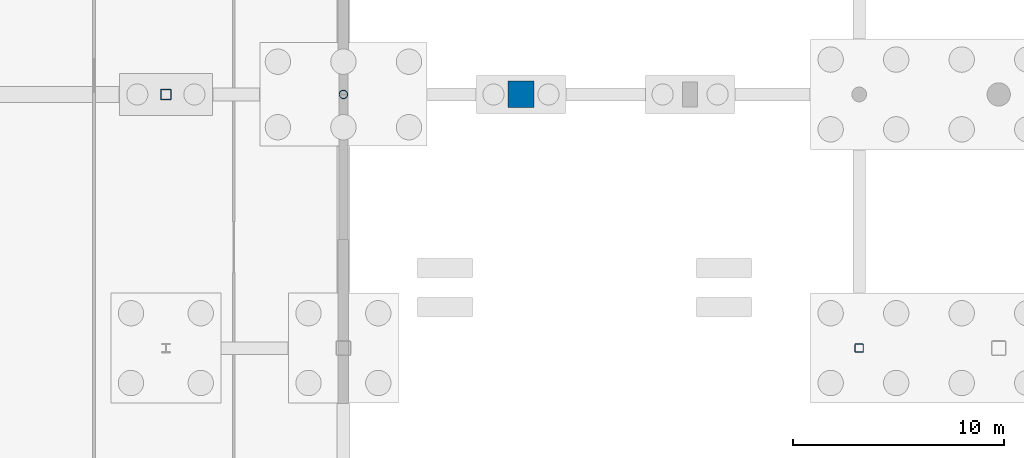
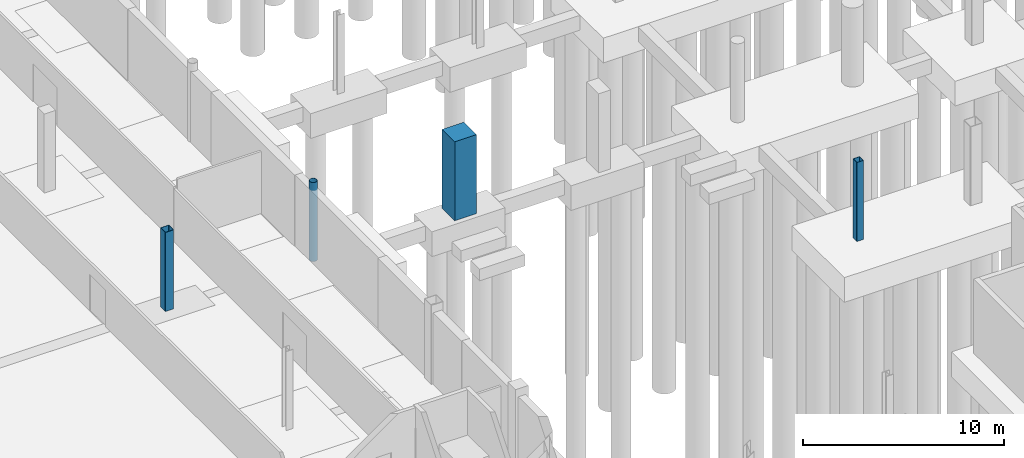
# One storey, part 11 of 34: 4 columns.
"""IFC4 building model written with IfcOpenShell, lengths in metres."""

from ifc_helpers import new_model, si_unit, direction, frame, origin, origin_2d, place, context, subcontext, project, spatial, rectangle, hollow_rectangle, hollow_circle, extrude, material, material_profile, profile_set, type_object, element, save


model = new_model("IFC4")

# Units and contexts
model_context = context("Model", 3, precision=1e-05, world=origin(), true_north=direction((0.0, 1.0)))
body_context = subcontext(model_context, "Body", "Model", "MODEL_VIEW")
ifc_project = project(units=[si_unit("LENGTHUNIT", "METRE"), si_unit("AREAUNIT", "SQUARE_METRE"), si_unit("VOLUMEUNIT", "CUBIC_METRE"), si_unit("PLANEANGLEUNIT", "RADIAN"), si_unit("MASSUNIT", "GRAM", prefix="KILO")], contexts=[model_context])

# Site, building, storey
site_placement = place(None, origin())
site = spatial("IfcSite", under=ifc_project, at=site_placement, CompositionType="ELEMENT")
building_placement = place(site_placement, origin())
building = spatial("IfcBuilding", under=site, at=building_placement, Name="Larkvane Passage Sports Hall", CompositionType="ELEMENT")
storey_placement = place(building_placement, frame((0.0, 0.0, -4.800048828125)))
storey = spatial("IfcBuildingStorey", under=building, at=storey_placement, Name="B01", CompositionType="ELEMENT", Elevation=-4.800048828125)

# Columns
ifc_material_1 = material(Name="Concrete C50/60", Category="concrete")
ifc_material_profile_1 = material_profile(ifc_material_1, rectangle(XDim=1.25, YDim=1.25, at=origin_2d()), Name="RC-COL-1250x1250")
ifc_profile_set_1 = profile_set([ifc_material_profile_1], Name="Concrete C50/60")
column_type_1 = type_object("IfcColumnType", Name="COL-RC-1250", PredefinedType="COLUMN", material=ifc_profile_set_1)
column_1_placement = place(storey_placement, frame((102.0, 51.60009765625, 0.0), z_axis=(0.0, 0.0, 1.0), x_axis=(1.0, 0.0, 0.0)))
element("IfcColumn", 1, at=column_1_placement, inside=storey, type_object=column_type_1, Name="Column 14/G B01", PredefinedType="COLUMN", context=body_context, shape_type="SweptSolid", body=[
    extrude(rectangle(XDim=1.25, YDim=1.25, at=origin_2d()), origin(), (0.0, 0.0, 1.0), 4.800048828125),
])
ifc_material_2 = material(Name="Steel S355JR", Category="steel")
ifc_material_profile_2 = material_profile(ifc_material_2, hollow_circle(Radius=0.203125, WallThickness=0.01611328125, at=origin_2d()), Name="CHS-406.4x16.0")
ifc_profile_set_2 = profile_set([ifc_material_profile_2], Name="Steel S355JR")
column_type_2 = type_object("IfcColumnType", Name="COL-STL-CHS406", PredefinedType="COLUMN", material=ifc_profile_set_2)
column_2_placement = place(storey_placement, frame((93.60009765625, 51.60009765625, 0.0), z_axis=(0.0, 0.0, 1.0), x_axis=(1.0, 0.0, 0.0)))
element("IfcColumn", 2, at=column_2_placement, inside=storey, type_object=column_type_2, Name="Column 13/G B01", PredefinedType="COLUMN", context=body_context, shape_type="SweptSolid", body=[
    extrude(hollow_circle(Radius=0.203125, WallThickness=0.01611328125, at=origin_2d()), origin(), (0.0, 0.0, 1.0), 4.800048828125),
])
ifc_material_3 = material(Name="Steel S460N", Category="steel")
ifc_material_profile_3 = material_profile(ifc_material_3, hollow_rectangle(XDim=0.39990234375, YDim=0.39990234375, WallThickness=0.01904296875, InnerFilletRadius=0.01904296875, OuterFilletRadius=0.0380859375, at=origin_2d()), Name="SHS-400x400x19")
ifc_profile_set_3 = profile_set([ifc_material_profile_3], Name="Steel S460N")
column_type_3 = type_object("IfcColumnType", Name="COL-STL-SHS400", PredefinedType="COLUMN", material=ifc_profile_set_3)
column_3_placement = place(storey_placement, frame((118.0, 39.60009765625, 0.0), z_axis=(0.0, 0.0, 1.0), x_axis=(1.0, 0.0, 0.0)))
element("IfcColumn", 3, at=column_3_placement, inside=storey, type_object=column_type_3, Name="Column 16/F B01", PredefinedType="COLUMN", context=body_context, shape_type="SweptSolid", body=[
    extrude(hollow_rectangle(XDim=0.39990234375, YDim=0.39990234375, WallThickness=0.01904296875, InnerFilletRadius=0.01904296875, OuterFilletRadius=0.0380859375, at=origin_2d()), origin(), (0.0, 0.0, 1.0), 4.800048828125),
])
ifc_material_profile_4 = material_profile(ifc_material_3, hollow_rectangle(XDim=0.5, YDim=0.5, WallThickness=0.02197265625, InnerFilletRadius=0.02197265625, OuterFilletRadius=0.0439453125, at=origin_2d()), Name="SHS-500x500x22")
ifc_profile_set_4 = profile_set([ifc_material_profile_4], Name="Steel S460N")
column_type_4 = type_object("IfcColumnType", Name="COL-STL-SHS500", PredefinedType="COLUMN", material=ifc_profile_set_4)
column_4_placement = place(storey_placement, frame((85.199951171875, 51.60009765625, 0.0), z_axis=(0.0, 0.0, 1.0), x_axis=(1.0, 0.0, 0.0)))
element("IfcColumn", 4, at=column_4_placement, inside=storey, type_object=column_type_4, Name="Column 12/G B01", PredefinedType="COLUMN", context=body_context, shape_type="SweptSolid", body=[
    extrude(hollow_rectangle(XDim=0.5, YDim=0.5, WallThickness=0.02197265625, InnerFilletRadius=0.02197265625, OuterFilletRadius=0.0439453125, at=origin_2d()), origin(), (0.0, 0.0, 1.0), 4.800048828125),
])

save(model, "model.ifc")
